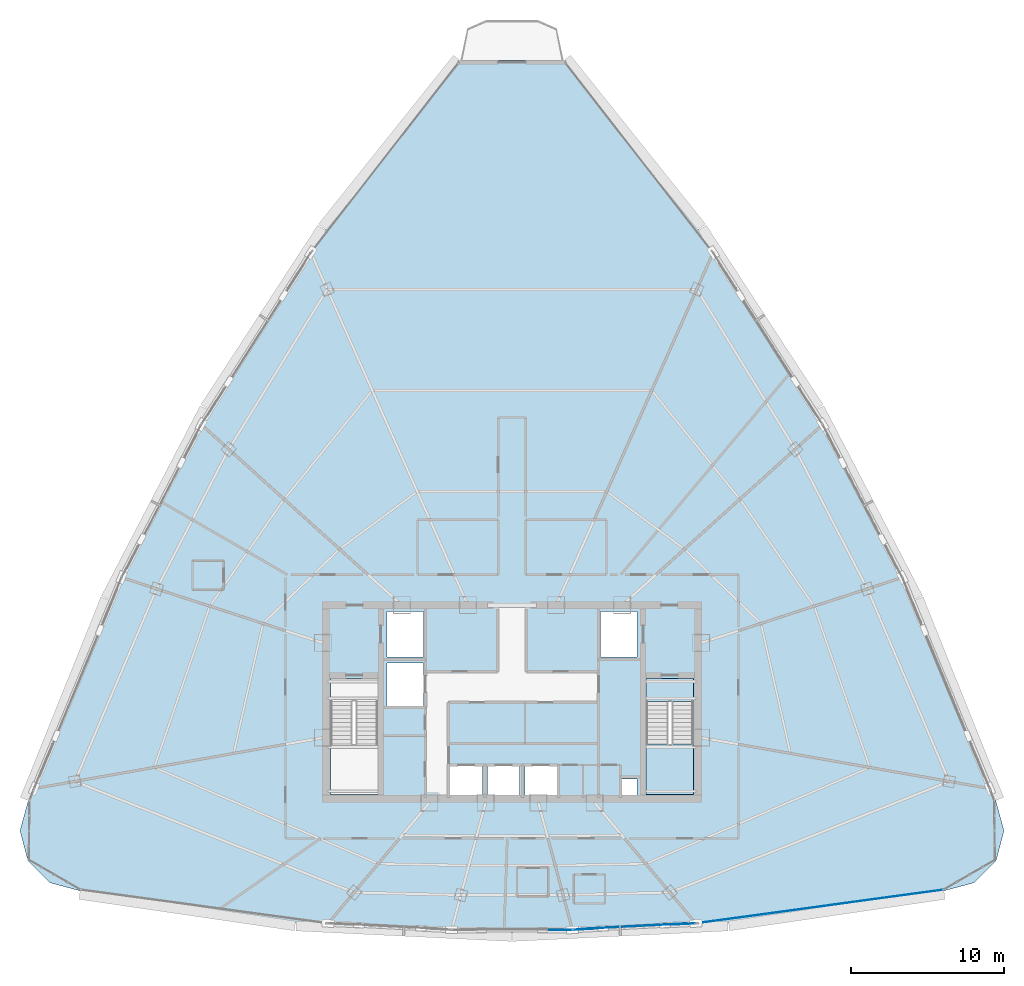
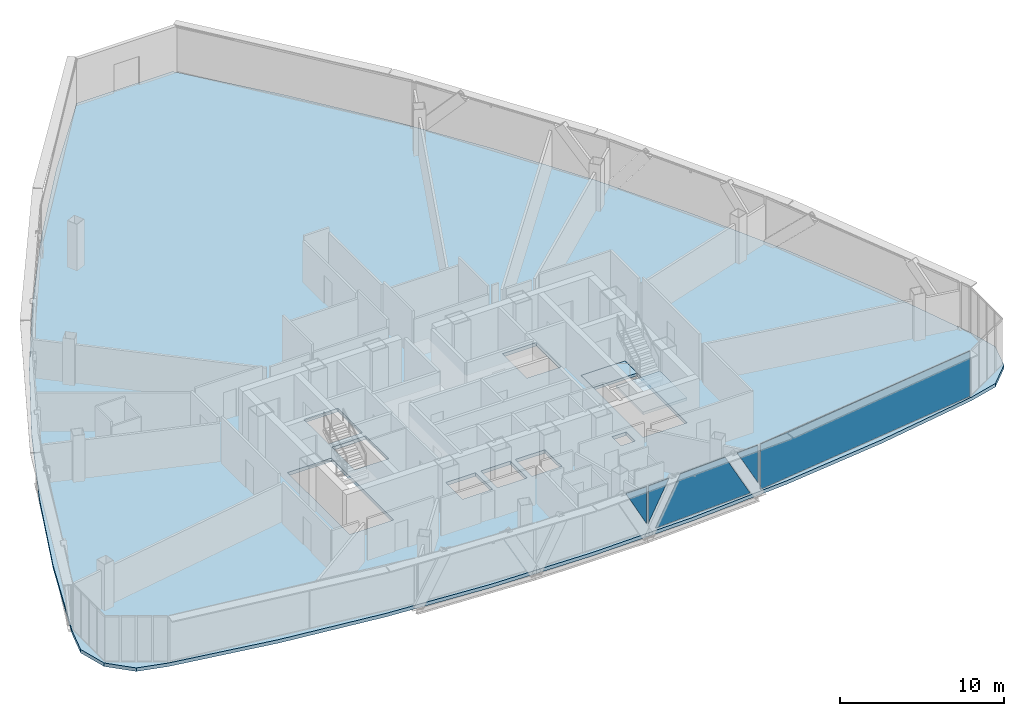
# One storey, part 31 of 40: 5 plates, 3 slabs, 4 elements without a shape of their own.
"""IFC4 building model written with IfcOpenShell, lengths in metres."""

from ifc_helpers import new_model, si_unit, direction, frame, origin, origin_2d, place, context, subcontext, project, spatial, polyline, rectangle, outline, extrude, source, transform, mapped, material, layer, layer_set, type_object, element, aggregate, save


model = new_model("IFC4")

# Units and contexts
model_context = context("Model", 3, precision=1e-05, world=origin(), true_north=direction((0.0, 1.0)))
body_context = subcontext(model_context, "Body", "Model", "MODEL_VIEW")
ifc_project = project(units=[si_unit("LENGTHUNIT", "METRE"), si_unit("AREAUNIT", "SQUARE_METRE"), si_unit("VOLUMEUNIT", "CUBIC_METRE"), si_unit("PLANEANGLEUNIT", "RADIAN"), si_unit("MASSUNIT", "GRAM", prefix="KILO"), si_unit("THERMODYNAMICTEMPERATUREUNIT", "KELVIN"), si_unit("POWERUNIT", "WATT")], contexts=[model_context])

# Site, building, storey
site_placement = place(None, origin())
site = spatial("IfcSite", under=ifc_project, at=site_placement, CompositionType="ELEMENT")
building_placement = place(site_placement, origin())
building = spatial("IfcBuilding", under=site, at=building_placement, Name="Yunzhuo Pagoda Commons", CompositionType="ELEMENT")
storey_placement = place(building_placement, frame((0.0, 0.0, 288.75)))
storey = spatial("IfcBuildingStorey", under=building, at=storey_placement, Name="L72", CompositionType="ELEMENT", Elevation=288.75)

# Curtain wall, plate
ifc_material_1 = material(Name="Anodized aluminium 6063-T6", Category="aluminium")
ifc_layer_1 = layer(ifc_material_1, 0.139892578125)
ifc_layer_set_1 = layer_set([ifc_layer_1], Name="Anodized aluminium 6063-T6")
curtain_wall_type = type_object("IfcCurtainWallType", Name="CW-HI High-Zone Ribbon Curtain Wall", PredefinedType="NOTDEFINED", material=ifc_layer_set_1)
curtain_wall_1_placement = place(storey_placement, origin())
curtain_wall_1 = element("IfcCurtainWall", 1, at=curtain_wall_1_placement, inside=storey, type_object=curtain_wall_type, Name="L72 curtain wall CW-L72-F1B3", PredefinedType="NOTDEFINED")
ifc_material_2 = material(Name="Tempered low-e double glazing", Category="glass")
ifc_layer_2 = layer(ifc_material_2, 0.02587890625)
ifc_layer_set_2 = layer_set([ifc_layer_2], Name="Tempered low-e double glazing")
plate_type = type_object("IfcPlateType", Name="CW-HI-P Low-E Double Glazing 26", PredefinedType="CURTAIN_PANEL", material=ifc_layer_set_2)
plate_1_placement = place(storey_placement, frame((51.171875, 18.9248046875, 2.0390625), z_axis=(0.0, -1.0, 0.0), x_axis=(1.0, 0.0, 0.0)))
plate_1 = element("IfcPlate", 2, at=plate_1_placement, type_object=plate_type, Name="CW panel 1.1 lite 3", PredefinedType="CURTAIN_PANEL", context=body_context, shape_type="SweptSolid", body=[
    extrude(outline(polyline([(-0.73095703125, 1.3759765625), (0.73095703125, -1.3759765625), (0.73095703125, 1.3759765625), (-0.73095703125, 1.3759765625)])), origin(), (0.0, 0.0, 1.0), 0.028076171875),
])
aggregate(curtain_wall_1, [plate_1])

# Curtain wall, plates
curtain_wall_2_placement = place(storey_placement, origin())
curtain_wall_2 = element("IfcCurtainWall", 3, at=curtain_wall_2_placement, inside=storey, type_object=curtain_wall_type, Name="L72 curtain wall CW-L72-F1B4", PredefinedType="NOTDEFINED")
plate_2_placement = place(storey_placement, frame((52.772705078125, 18.966796875, 2.03076171875), z_axis=(0.052189625547, -0.998637192871, 0.0), x_axis=(0.998637192871, 0.052189625547, 0.0)))
plate_2 = element("IfcPlate", 4, at=plate_2_placement, type_object=plate_type, Name="CW panel 1.1 lite 1", PredefinedType="CURTAIN_PANEL", context=body_context, shape_type="SweptSolid", body=[
    extrude(outline(polyline([(-0.751708984375, -1.384033203125), (0.751708984375, 1.38427734375), (-0.751708984375, 1.38427734375), (-0.751708984375, -1.384033203125)])), origin(), (0.0, 0.0, 1.0), 0.028076171875),
])
plate_3_placement = place(storey_placement, frame((56.006591796875, 19.166015625, 1.735107421875), z_axis=(0.052189625547, -0.998637192871, 0.0), x_axis=(0.998637192871, 0.052189625547, 0.0)))
plate_3 = element("IfcPlate", 5, at=plate_3_placement, type_object=plate_type, Name="CW panel 1.1 lite 2", PredefinedType="CURTAIN_PANEL", context=body_context, shape_type="SweptSolid", body=[
    extrude(outline(polyline([(-3.447998046875, -1.679931640625), (3.447998046875, -1.679931640625), (1.623291015625, 1.679931640625), (-1.623291015625, 1.679931640625), (-3.447998046875, -1.679931640625)])), origin(), (0.0, 0.0, 1.0), 0.028076171875),
])
plate_4_placement = place(storey_placement, frame((59.24365234375, 19.304931640625, 2.03076171875), z_axis=(0.052189625547, -0.998637192871, 0.0), x_axis=(0.998637192871, 0.052189625547, 0.0)))
plate_4 = element("IfcPlate", 6, at=plate_4_placement, type_object=plate_type, Name="CW panel 1.1 lite 3", PredefinedType="CURTAIN_PANEL", context=body_context, shape_type="SweptSolid", body=[
    extrude(outline(polyline([(-0.751708984375, 1.38427734375), (0.751708984375, -1.384033203125), (0.751708984375, 1.38427734375), (-0.751708984375, 1.38427734375)])), origin(), (0.0, 0.0, 1.0), 0.028076171875),
])
aggregate(curtain_wall_2, [plate_2, plate_3, plate_4])

# Stair, slabs
ifc_material_3 = material(Name="Concrete C40", Category="concrete")
stair_type = type_object("IfcStairType", Name="ST-C2 Core Smokeproof Stair ST2", PredefinedType="HALF_TURN_STAIR", material=ifc_material_3)
stair_placement = place(storey_placement, origin())
stair = element("IfcStair", 7, at=stair_placement, inside=storey, type_object=stair_type, Name="L72 Core smokeproof stair ST2", PredefinedType="HALF_TURN_STAIR")
ifc_layer_3 = layer(ifc_material_3, 0.201904296875)
ifc_layer_set_3 = layer_set([ifc_layer_3], Name="Concrete C40")
slab_type_1 = type_object("IfcSlabType", Name="SL-LND2 Stair Landing Slab 202", PredefinedType="LANDING", material=ifc_layer_set_3)
slab_1_placement = place(storey_placement, frame((0.0, 0.0, 1.6650390625)))
slab_1 = element("IfcSlab", 8, at=slab_1_placement, type_object=slab_type_1, Name="ST2 landing 1", PredefinedType="LANDING", context=body_context, shape_type="SweptSolid", body=[
    extrude(outline(polyline([(56.800048828125, 31.10009765625), (56.800048828125, 27.800048828125), (59.89990234375, 27.800048828125), (59.89990234375, 31.10009765625), (56.800048828125, 31.10009765625)])), origin(), (0.0, 0.0, 1.0), 0.199951171875),
])
slab_2_placement = place(storey_placement, frame((0.0, 0.0, -0.199951171875)))
slab_2 = element("IfcSlab", 9, at=slab_2_placement, type_object=slab_type_1, Name="ST2 floor landing L72", PredefinedType="LANDING", context=body_context, shape_type="SweptSolid", body=[
    extrude(outline(polyline([(56.800048828125, 35.39990234375), (56.800048828125, 33.89990234375), (59.89990234375, 33.89990234375), (59.89990234375, 35.39990234375), (56.800048828125, 35.39990234375)])), origin(), (0.0, 0.0, 1.0), 0.199951171875),
])
aggregate(stair, [slab_1, slab_2])

# Slab
ifc_layer_4 = layer(ifc_material_3, 0.260009765625)
ifc_layer_set_4 = layer_set([ifc_layer_4], Name="Concrete C40")
slab_type_2 = type_object("IfcSlabType", Name="SL-TWR Typical Tower Floor Slab 260", PredefinedType="FLOOR", material=ifc_layer_set_4)
slab_3_placement = place(storey_placement, frame((0.0, 0.0, -0.260009765625)))
element("IfcSlab", 10, at=slab_3_placement, inside=storey, type_object=slab_type_2, Name="L72 structural floor slab", PredefinedType="FLOOR", context=body_context, shape_type="SweptSolid", body=[
    extrude(outline(polyline([(18.775390625, 34.047607421875), (21.573486328125, 40.55078125), (24.669189453125, 46.88037109375), (28.06298828125, 53.035888671875), (31.75439453125, 59.017578125), (35.743408203125, 64.82568359375), (40.030517578125, 70.459716796875), (44.614990234375, 75.920166015625), (51.385009765625, 75.920166015625), (55.969482421875, 70.459716796875), (60.256591796875, 64.82568359375), (64.24560546875, 59.017578125), (67.93701171875, 53.035888671875), (71.330810546875, 46.88037109375), (74.426513671875, 40.55078125), (77.224609375, 34.047607421875), (79.72509765625, 27.37060546875), (80.259521484375, 25.40869140625), (79.7392578125, 23.443115234375), (78.303955078125, 22.002685546875), (76.340087890625, 21.47509765625), (69.255126953125, 20.2685546875), (62.170166015625, 19.406494140625), (55.0849609375, 18.889404296875), (48.0, 18.717041015625), (40.9150390625, 18.889404296875), (33.830078125, 19.406494140625), (26.744873046875, 20.2685546875), (19.659912109375, 21.47509765625), (17.696044921875, 22.002685546875), (16.2607421875, 23.443115234375), (15.740478515625, 25.40869140625), (16.27490234375, 27.37060546875), (18.775390625, 34.047607421875)]), holes=[polyline([(56.179931640625, 28.800048828125), (55.179931640625, 28.800048828125), (55.179931640625, 27.699951171875), (56.179931640625, 27.699951171875), (56.179931640625, 28.800048828125)]), polyline([(46.050048828125, 29.64990234375), (43.949951171875, 29.64990234375), (43.949951171875, 27.60009765625), (46.050048828125, 27.60009765625), (46.050048828125, 29.64990234375)]), polyline([(48.5, 29.64990234375), (46.39990234375, 29.64990234375), (46.39990234375, 27.60009765625), (48.5, 27.60009765625), (48.5, 29.64990234375)]), polyline([(50.949951171875, 29.64990234375), (48.85009765625, 29.64990234375), (48.85009765625, 27.60009765625), (50.949951171875, 27.60009765625), (50.949951171875, 29.64990234375)]), polyline([(39.199951171875, 27.800048828125), (39.199951171875, 35.39990234375), (36.10009765625, 35.39990234375), (36.10009765625, 27.800048828125), (39.199951171875, 27.800048828125)]), polyline([(59.89990234375, 27.800048828125), (59.89990234375, 35.39990234375), (56.800048828125, 35.39990234375), (56.800048828125, 27.800048828125), (59.89990234375, 27.800048828125)]), polyline([(42.199951171875, 36.39990234375), (39.800048828125, 36.39990234375), (39.800048828125, 33.60009765625), (42.199951171875, 33.60009765625), (42.199951171875, 36.39990234375)]), polyline([(42.199951171875, 36.800048828125), (42.199951171875, 39.800048828125), (39.800048828125, 39.800048828125), (39.800048828125, 36.800048828125), (42.199951171875, 36.800048828125)]), polyline([(56.199951171875, 36.800048828125), (56.199951171875, 39.800048828125), (53.800048828125, 39.800048828125), (53.800048828125, 36.800048828125), (56.199951171875, 36.800048828125)])]), origin(), (0.0, 0.0, 1.0), 0.260009765625),
])

# Curtain wall, plate
curtain_wall_3_placement = place(storey_placement, origin())
curtain_wall_3 = element("IfcCurtainWall", 11, at=curtain_wall_3_placement, inside=storey, type_object=curtain_wall_type, Name="L72 curtain wall CW-L72-F1B5", PredefinedType="NOTDEFINED")
shared_shape = source(origin(), body_context, "Body", "SweptSolid", [
    extrude(rectangle(XDim=16.199951171875, YDim=0.028076171875, at=origin_2d()), origin(), (0.0, 0.0, 1.0), 3.360107421875),
])
plate_5_placement = place(storey_placement, frame((68.214599609375, 20.444091796875, 0.05517578125), z_axis=(0.0, 0.0, 1.0), x_axis=(0.99086548222, 0.134853980826, 0.0)))
plate_5 = element("IfcPlate", 12, at=plate_5_placement, type_object=plate_type, Name="CW panel 1.1", PredefinedType="CURTAIN_PANEL", context=body_context, shape_type="MappedRepresentation", body=[
    mapped(shared_shape, transform((0.0, 0.0, 0.0), scale=1.0)),
])
aggregate(curtain_wall_3, [plate_5])

save(model, "model.ifc")
